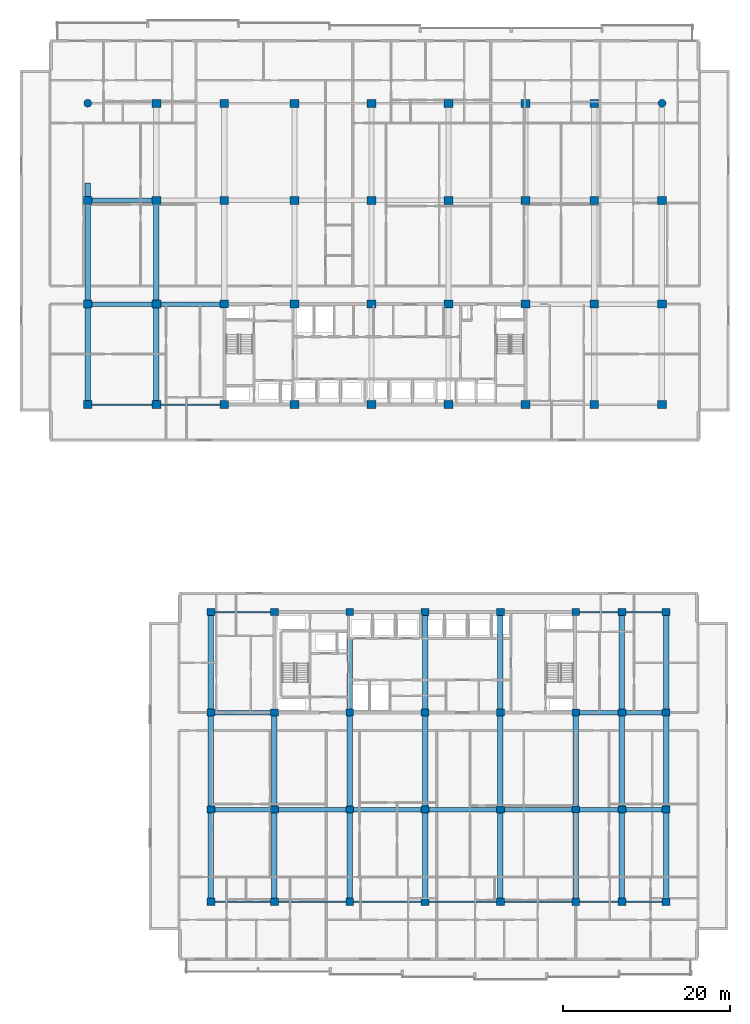
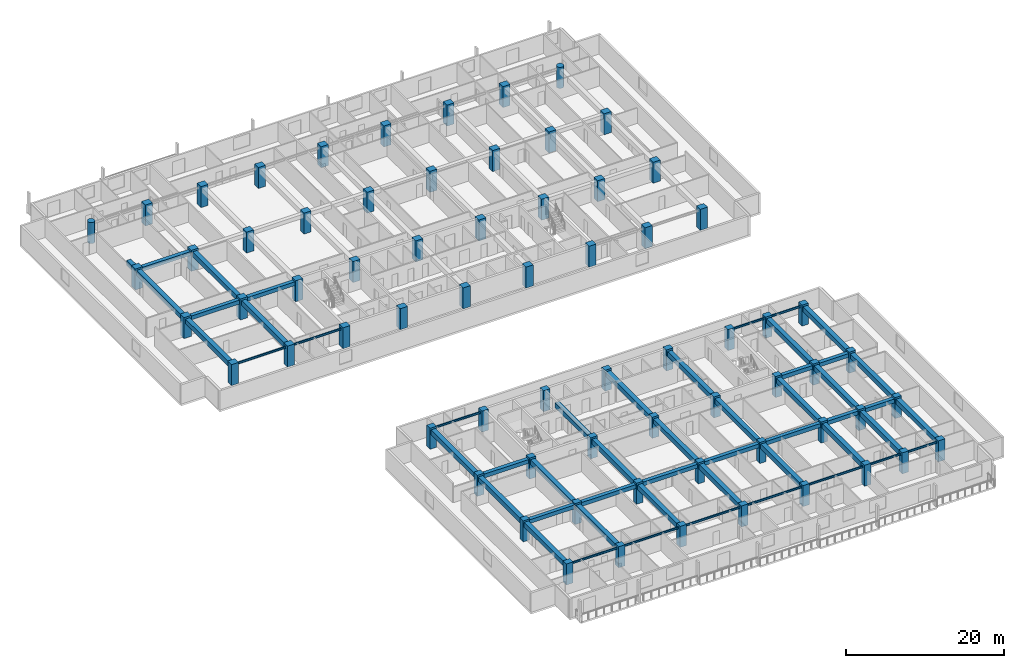
# One storey, part 1 of 23: 68 columns, 52 beams.
"""IFC4 building model written with IfcOpenShell, lengths in metres."""

from ifc_helpers import new_model, si_unit, direction, frame, origin, origin_2d, place, context, subcontext, project, spatial, rectangle, circle, i_section, extrude, material, material_profile, profile_set, type_object, element, save


model = new_model("IFC4")

# Units and contexts
model_context = context("Model", 3, precision=1e-05, world=origin(), true_north=direction((0.0, 1.0)))
body_context = subcontext(model_context, "Body", "Model", "MODEL_VIEW")
ifc_project = project(units=[si_unit("LENGTHUNIT", "METRE"), si_unit("AREAUNIT", "SQUARE_METRE"), si_unit("VOLUMEUNIT", "CUBIC_METRE"), si_unit("PLANEANGLEUNIT", "RADIAN"), si_unit("MASSUNIT", "GRAM", prefix="KILO")], contexts=[model_context])

# Site, building, storey
site_placement = place(None, origin())
site = spatial("IfcSite", under=ifc_project, at=site_placement, CompositionType="ELEMENT")
building_placement = place(site_placement, origin())
building = spatial("IfcBuilding", under=site, at=building_placement, Name="Korimba Cascade Residences", CompositionType="ELEMENT")
storey_placement = place(building_placement, frame((0.0, 0.0, 69.5)))
storey = spatial("IfcBuildingStorey", under=building, at=storey_placement, Name="L19", CompositionType="ELEMENT", Elevation=69.5)

# Columns
ifc_material_1 = material(Name="Concrete C80/95", Category="concrete")
ifc_material_profile_1 = material_profile(ifc_material_1, rectangle(XDim=1.050048828125, YDim=0.949951171875, at=origin_2d()), Name="Concrete C80/95")
ifc_profile_set_1 = profile_set([ifc_material_profile_1], Name="Concrete C80/95")
column_type_1 = type_object("IfcColumnType", Name="COL-RC-1050", PredefinedType="COLUMN", material=ifc_profile_set_1)
for number, where, z_axis, x_axis, name in (
    (1, (59.800048828125, 55.199951171875, 0.0), (0.0, 0.0, 1.0), (1.0, 0.0, 0.0), "L19 Tower 1 Column 1.1"),
    (2, (59.800048828125, 67.199951171875, 0.0), (0.0, 0.0, 1.0), (1.0, 0.0, 0.0), "L19 Tower 1 Column 1.2"),
    (3, (59.800048828125, 79.60009765625, 0.0), (0.0, 0.0, 1.0), (1.0, 0.0, 0.0), "L19 Tower 1 Column 1.3"),
    (4, (68.0, 55.199951171875, 0.0), (0.0, 0.0, 1.0), (1.0, 0.0, 0.0), "L19 Tower 1 Column 2.1"),
    (5, (68.0, 67.199951171875, 0.0), (0.0, 0.0, 1.0), (1.0, 0.0, 0.0), "L19 Tower 1 Column 2.2"),
    (6, (68.0, 79.60009765625, 0.0), (0.0, 0.0, 1.0), (1.0, 0.0, 0.0), "L19 Tower 1 Column 2.3"),
    (7, (68.0, 91.199951171875, 0.0), (0.0, 0.0, 1.0), (1.0, 0.0, 0.0), "L19 Tower 1 Column 2.4"),
    (8, (76.10009765625, 55.199951171875, 0.0), (0.0, 0.0, 1.0), (1.0, 0.0, 0.0), "L19 Tower 1 Column 3.1"),
    (9, (76.10009765625, 67.199951171875, 0.0), (0.0, 0.0, 1.0), (1.0, 0.0, 0.0), "L19 Tower 1 Column 3.2"),
    (10, (76.10009765625, 79.60009765625, 0.0), (0.0, 0.0, 1.0), (1.0, 0.0, 0.0), "L19 Tower 1 Column 3.3"),
    (11, (76.10009765625, 91.199951171875, 0.0), (0.0, 0.0, 1.0), (1.0, 0.0, 0.0), "L19 Tower 1 Column 3.4"),
    (12, (84.5, 55.199951171875, 0.0), (0.0, 0.0, 1.0), (1.0, 0.0, 0.0), "L19 Tower 1 Column 4.1"),
    (13, (84.5, 67.199951171875, 0.0), (0.0, 0.0, 1.0), (1.0, 0.0, 0.0), "L19 Tower 1 Column 4.2"),
    (14, (84.5, 79.60009765625, 0.0), (0.0, 0.0, 1.0), (1.0, 0.0, 0.0), "L19 Tower 1 Column 4.3"),
    (15, (84.5, 91.199951171875, 0.0), (0.0, 0.0, 1.0), (1.0, 0.0, 0.0), "L19 Tower 1 Column 4.4"),
    (16, (93.699951171875, 55.199951171875, 0.0), (0.0, 0.0, 1.0), (1.0, 0.0, 0.0), "L19 Tower 1 Column 5.1"),
    (17, (93.699951171875, 67.199951171875, 0.0), (0.0, 0.0, 1.0), (1.0, 0.0, 0.0), "L19 Tower 1 Column 5.2"),
    (18, (93.699951171875, 79.60009765625, 0.0), (0.0, 0.0, 1.0), (1.0, 0.0, 0.0), "L19 Tower 1 Column 5.3"),
    (19, (93.699951171875, 91.199951171875, 0.0), (0.0, 0.0, 1.0), (1.0, 0.0, 0.0), "L19 Tower 1 Column 5.4"),
    (20, (102.89990234375, 55.199951171875, 0.0), (0.0, 0.0, 1.0), (1.0, 0.0, 0.0), "L19 Tower 1 Column 6.1"),
    (21, (102.89990234375, 67.199951171875, 0.0), (0.0, 0.0, 1.0), (1.0, 0.0, 0.0), "L19 Tower 1 Column 6.2"),
    (22, (102.89990234375, 79.60009765625, 0.0), (0.0, 0.0, 1.0), (1.0, 0.0, 0.0), "L19 Tower 1 Column 6.3"),
    (23, (102.89990234375, 91.199951171875, 0.0), (0.0, 0.0, 1.0), (1.0, 0.0, 0.0), "L19 Tower 1 Column 6.4"),
    (24, (112.10009765625, 55.199951171875, 0.0), (0.0, 0.0, 1.0), (1.0, 0.0, 0.0), "L19 Tower 1 Column 7.1"),
    (25, (112.10009765625, 67.199951171875, 0.0), (0.0, 0.0, 1.0), (1.0, 0.0, 0.0), "L19 Tower 1 Column 7.2"),
    (26, (112.10009765625, 79.60009765625, 0.0), (0.0, 0.0, 1.0), (1.0, 0.0, 0.0), "L19 Tower 1 Column 7.3"),
    (27, (112.10009765625, 91.199951171875, 0.0), (0.0, 0.0, 1.0), (1.0, 0.0, 0.0), "L19 Tower 1 Column 7.4"),
    (28, (120.300048828125, 55.199951171875, 0.0), (0.0, 0.0, 1.0), (1.0, 0.0, 0.0), "L19 Tower 1 Column 8.1"),
    (29, (120.300048828125, 67.199951171875, 0.0), (0.0, 0.0, 1.0), (1.0, 0.0, 0.0), "L19 Tower 1 Column 8.2"),
    (30, (120.300048828125, 79.60009765625, 0.0), (0.0, 0.0, 1.0), (1.0, 0.0, 0.0), "L19 Tower 1 Column 8.3"),
    (31, (120.300048828125, 91.199951171875, 0.0), (0.0, 0.0, 1.0), (1.0, 0.0, 0.0), "L19 Tower 1 Column 8.4"),
    (32, (128.39990234375, 55.199951171875, 0.0), (0.0, 0.0, 1.0), (1.0, 0.0, 0.0), "L19 Tower 1 Column 9.1"),
    (33, (128.39990234375, 67.199951171875, 0.0), (0.0, 0.0, 1.0), (1.0, 0.0, 0.0), "L19 Tower 1 Column 9.2"),
    (34, (128.39990234375, 79.60009765625, 0.0), (0.0, 0.0, 1.0), (1.0, 0.0, 0.0), "L19 Tower 1 Column 9.3"),
):
    element("IfcColumn", number, at=place(storey_placement, frame(where, z_axis=z_axis, x_axis=x_axis)), inside=storey, type_object=column_type_1, Name=name, PredefinedType="COLUMN", context=body_context, shape_type="SweptSolid", body=[
        extrude(rectangle(XDim=1.050048828125, YDim=0.949951171875, at=origin_2d()), origin(), (0.0, 0.0, 1.0), 3.25),
    ])
ifc_material_2 = material(Name="Concrete C65/80", Category="concrete")
ifc_material_profile_2 = material_profile(ifc_material_2, rectangle(XDim=0.949951171875, YDim=0.85009765625, at=origin_2d()), Name="Concrete C65/80")
ifc_profile_set_2 = profile_set([ifc_material_profile_2], Name="Concrete C65/80")
column_type_2 = type_object("IfcColumnType", Name="COL-RC-950", PredefinedType="COLUMN", material=ifc_profile_set_2)
for number, where, z_axis, x_axis, name in (
    (35, (74.5, -4.199951171875, 0.0), (0.0, 0.0, 1.0), (1.0, 0.0, 0.0), "L19 Tower 2 Column 1.1"),
    (36, (74.5, 6.800048828125, 0.0), (0.0, 0.0, 1.0), (1.0, 0.0, 0.0), "L19 Tower 2 Column 1.2"),
    (37, (74.5, 18.39990234375, 0.0), (0.0, 0.0, 1.0), (1.0, 0.0, 0.0), "L19 Tower 2 Column 1.3"),
    (38, (74.5, 30.39990234375, 0.0), (0.0, 0.0, 1.0), (1.0, 0.0, 0.0), "L19 Tower 2 Column 1.4"),
    (39, (82.10009765625, -4.199951171875, 0.0), (0.0, 0.0, 1.0), (1.0, 0.0, 0.0), "L19 Tower 2 Column 2.1"),
    (40, (82.10009765625, 6.800048828125, 0.0), (0.0, 0.0, 1.0), (1.0, 0.0, 0.0), "L19 Tower 2 Column 2.2"),
    (41, (82.10009765625, 18.39990234375, 0.0), (0.0, 0.0, 1.0), (1.0, 0.0, 0.0), "L19 Tower 2 Column 2.3"),
    (42, (82.10009765625, 30.39990234375, 0.0), (0.0, 0.0, 1.0), (1.0, 0.0, 0.0), "L19 Tower 2 Column 2.4"),
    (43, (91.10009765625, -4.199951171875, 0.0), (0.0, 0.0, 1.0), (1.0, 0.0, 0.0), "L19 Tower 2 Column 3.1"),
    (44, (91.10009765625, 6.800048828125, 0.0), (0.0, 0.0, 1.0), (1.0, 0.0, 0.0), "L19 Tower 2 Column 3.2"),
    (45, (91.10009765625, 18.39990234375, 0.0), (0.0, 0.0, 1.0), (1.0, 0.0, 0.0), "L19 Tower 2 Column 3.3"),
    (46, (91.10009765625, 30.39990234375, 0.0), (0.0, 0.0, 1.0), (1.0, 0.0, 0.0), "L19 Tower 2 Column 3.4"),
    (47, (100.10009765625, -4.199951171875, 0.0), (0.0, 0.0, 1.0), (1.0, 0.0, 0.0), "L19 Tower 2 Column 4.1"),
    (48, (100.10009765625, 6.800048828125, 0.0), (0.0, 0.0, 1.0), (1.0, 0.0, 0.0), "L19 Tower 2 Column 4.2"),
    (49, (100.10009765625, 18.39990234375, 0.0), (0.0, 0.0, 1.0), (1.0, 0.0, 0.0), "L19 Tower 2 Column 4.3"),
    (50, (100.10009765625, 30.39990234375, 0.0), (0.0, 0.0, 1.0), (1.0, 0.0, 0.0), "L19 Tower 2 Column 4.4"),
    (51, (109.10009765625, -4.199951171875, 0.0), (0.0, 0.0, 1.0), (1.0, 0.0, 0.0), "L19 Tower 2 Column 5.1"),
    (52, (109.10009765625, 6.800048828125, 0.0), (0.0, 0.0, 1.0), (1.0, 0.0, 0.0), "L19 Tower 2 Column 5.2"),
    (53, (109.10009765625, 18.39990234375, 0.0), (0.0, 0.0, 1.0), (1.0, 0.0, 0.0), "L19 Tower 2 Column 5.3"),
    (54, (109.10009765625, 30.39990234375, 0.0), (0.0, 0.0, 1.0), (1.0, 0.0, 0.0), "L19 Tower 2 Column 5.4"),
    (55, (118.10009765625, -4.199951171875, 0.0), (0.0, 0.0, 1.0), (1.0, 0.0, 0.0), "L19 Tower 2 Column 6.1"),
    (56, (118.10009765625, 6.800048828125, 0.0), (0.0, 0.0, 1.0), (1.0, 0.0, 0.0), "L19 Tower 2 Column 6.2"),
    (57, (118.10009765625, 18.39990234375, 0.0), (0.0, 0.0, 1.0), (1.0, 0.0, 0.0), "L19 Tower 2 Column 6.3"),
    (58, (118.10009765625, 30.39990234375, 0.0), (0.0, 0.0, 1.0), (1.0, 0.0, 0.0), "L19 Tower 2 Column 6.4"),
    (59, (123.60009765625, -4.199951171875, 0.0), (0.0, 0.0, 1.0), (1.0, 0.0, 0.0), "L19 Tower 2 Column 7.1"),
    (60, (123.60009765625, 6.800048828125, 0.0), (0.0, 0.0, 1.0), (1.0, 0.0, 0.0), "L19 Tower 2 Column 7.2"),
    (61, (123.60009765625, 18.39990234375, 0.0), (0.0, 0.0, 1.0), (1.0, 0.0, 0.0), "L19 Tower 2 Column 7.3"),
    (62, (123.60009765625, 30.39990234375, 0.0), (0.0, 0.0, 1.0), (1.0, 0.0, 0.0), "L19 Tower 2 Column 7.4"),
    (63, (128.89990234375, -4.199951171875, 0.0), (0.0, 0.0, 1.0), (1.0, 0.0, 0.0), "L19 Tower 2 Column 8.1"),
    (64, (128.89990234375, 6.800048828125, 0.0), (0.0, 0.0, 1.0), (1.0, 0.0, 0.0), "L19 Tower 2 Column 8.2"),
    (65, (128.89990234375, 18.39990234375, 0.0), (0.0, 0.0, 1.0), (1.0, 0.0, 0.0), "L19 Tower 2 Column 8.3"),
    (66, (128.89990234375, 30.39990234375, 0.0), (0.0, 0.0, 1.0), (1.0, 0.0, 0.0), "L19 Tower 2 Column 8.4"),
):
    element("IfcColumn", number, at=place(storey_placement, frame(where, z_axis=z_axis, x_axis=x_axis)), inside=storey, type_object=column_type_2, Name=name, PredefinedType="COLUMN", context=body_context, shape_type="SweptSolid", body=[
        extrude(rectangle(XDim=0.949951171875, YDim=0.85009765625, at=origin_2d()), origin(), (0.0, 0.0, 1.0), 3.25),
    ])
ifc_material_profile_3 = material_profile(ifc_material_1, circle(Radius=0.47509765625, at=origin_2d()), Name="Concrete C80/95")
ifc_profile_set_3 = profile_set([ifc_material_profile_3], Name="Concrete C80/95")
column_type_3 = type_object("IfcColumnType", Name="COL-RC-D950", PredefinedType="COLUMN", material=ifc_profile_set_3)
for number, where, z_axis, x_axis, name in (
    (67, (59.800048828125, 91.199951171875, 0.0), (0.0, 0.0, 1.0), (1.0, 0.0, 0.0), "L19 Tower 1 Column 1.4"),
    (68, (128.39990234375, 91.199951171875, 0.0), (0.0, 0.0, 1.0), (1.0, 0.0, 0.0), "L19 Tower 1 Column 9.4"),
):
    element("IfcColumn", number, at=place(storey_placement, frame(where, z_axis=z_axis, x_axis=x_axis)), inside=storey, type_object=column_type_3, Name=name, PredefinedType="COLUMN", context=body_context, shape_type="SweptSolid", body=[
        extrude(circle(Radius=0.47509765625, at=origin_2d()), origin(), (0.0, 0.0, 1.0), 3.25),
    ])

# Beams
ifc_material_3 = material(Name="Concrete C50/60", Category="concrete")
ifc_material_profile_4 = material_profile(ifc_material_3, rectangle(XDim=0.550048828125, YDim=0.60009765625, at=origin_2d()), Name="Concrete C50/60")
ifc_profile_set_4 = profile_set([ifc_material_profile_4], Name="Concrete C50/60")
beam_type_1 = type_object("IfcBeamType", Name="BM-RC-B600", PredefinedType="BEAM", material=ifc_profile_set_4)
beam_1_placement = place(storey_placement, frame((60.324951171875, 67.199951171875, 2.669921875), z_axis=(1.0, 0.0, 0.0), x_axis=(0.0, 1.0, 0.0)))
element("IfcBeam", 69, at=beam_1_placement, inside=storey, type_object=beam_type_1, Name="L19 T1 E-W Girder Y2 Bay 1", PredefinedType="BEAM", context=body_context, shape_type="SweptSolid", body=[
    extrude(rectangle(XDim=0.550048828125, YDim=0.60009765625, at=origin_2d()), origin(), (0.0, 0.0, 1.0), 7.150146484375),
])
beam_2_placement = place(storey_placement, frame((68.52490234375, 67.199951171875, 2.669921875), z_axis=(1.0, 0.0, 0.0), x_axis=(0.0, 1.0, 0.0)))
element("IfcBeam", 70, at=beam_2_placement, inside=storey, type_object=beam_type_1, Name="L19 T1 E-W Girder Y2 Bay 2", PredefinedType="BEAM", context=body_context, shape_type="SweptSolid", body=[
    extrude(rectangle(XDim=0.550048828125, YDim=0.60009765625, at=origin_2d()), origin(), (0.0, 0.0, 1.0), 7.050048828125),
])
beam_3_placement = place(storey_placement, frame((60.324951171875, 79.60009765625, 2.669921875), z_axis=(1.0, 0.0, 0.0), x_axis=(0.0, 1.0, 0.0)))
element("IfcBeam", 71, at=beam_3_placement, inside=storey, type_object=beam_type_1, Name="L19 T1 E-W Girder Y3 Bay 1", PredefinedType="BEAM", context=body_context, shape_type="SweptSolid", body=[
    extrude(rectangle(XDim=0.550048828125, YDim=0.60009765625, at=origin_2d()), origin(), (0.0, 0.0, 1.0), 7.150146484375),
])
beam_4_placement = place(storey_placement, frame((74.97509765625, 6.800048828125, 2.669921875), z_axis=(1.0, 0.0, 0.0), x_axis=(0.0, 1.0, 0.0)))
element("IfcBeam", 72, at=beam_4_placement, inside=storey, type_object=beam_type_1, Name="L19 T2 E-W Girder Y2 Bay 1", PredefinedType="BEAM", context=body_context, shape_type="SweptSolid", body=[
    extrude(rectangle(XDim=0.550048828125, YDim=0.60009765625, at=origin_2d()), origin(), (0.0, 0.0, 1.0), 6.64990234375),
])
for number, where, z_axis, x_axis, name in (
    (73, (82.574951171875, 6.800048828125, 2.669921875), (1.0, 0.0, 0.0), (0.0, 1.0, 0.0), "L19 T2 E-W Girder Y2 Bay 2"),
    (74, (91.574951171875, 6.800048828125, 2.669921875), (1.0, 0.0, 0.0), (0.0, 1.0, 0.0), "L19 T2 E-W Girder Y2 Bay 3"),
    (75, (100.574951171875, 6.800048828125, 2.669921875), (1.0, 0.0, 0.0), (0.0, 1.0, 0.0), "L19 T2 E-W Girder Y2 Bay 4"),
    (76, (109.574951171875, 6.800048828125, 2.669921875), (1.0, 0.0, 0.0), (0.0, 1.0, 0.0), "L19 T2 E-W Girder Y2 Bay 5"),
):
    element("IfcBeam", number, at=place(storey_placement, frame(where, z_axis=z_axis, x_axis=x_axis)), inside=storey, type_object=beam_type_1, Name=name, PredefinedType="BEAM", context=body_context, shape_type="SweptSolid", body=[
        extrude(rectangle(XDim=0.550048828125, YDim=0.60009765625, at=origin_2d()), origin(), (0.0, 0.0, 1.0), 8.050048828125),
    ])
beam_5_placement = place(storey_placement, frame((118.574951171875, 6.800048828125, 2.669921875), z_axis=(1.0, 0.0, 0.0), x_axis=(0.0, 1.0, 0.0)))
element("IfcBeam", 77, at=beam_5_placement, inside=storey, type_object=beam_type_1, Name="L19 T2 E-W Girder Y2 Bay 6", PredefinedType="BEAM", context=body_context, shape_type="SweptSolid", body=[
    extrude(rectangle(XDim=0.550048828125, YDim=0.60009765625, at=origin_2d()), origin(), (0.0, 0.0, 1.0), 4.550048828125),
])
beam_6_placement = place(storey_placement, frame((124.074951171875, 6.800048828125, 2.669921875), z_axis=(1.0, 0.0, 0.0), x_axis=(0.0, 1.0, 0.0)))
element("IfcBeam", 78, at=beam_6_placement, inside=storey, type_object=beam_type_1, Name="L19 T2 E-W Girder Y2 Bay 7", PredefinedType="BEAM", context=body_context, shape_type="SweptSolid", body=[
    extrude(rectangle(XDim=0.550048828125, YDim=0.60009765625, at=origin_2d()), origin(), (0.0, 0.0, 1.0), 4.35009765625),
])
beam_7_placement = place(storey_placement, frame((74.97509765625, 18.39990234375, 2.669921875), z_axis=(1.0, 0.0, 0.0), x_axis=(0.0, 1.0, 0.0)))
element("IfcBeam", 79, at=beam_7_placement, inside=storey, type_object=beam_type_1, Name="L19 T2 E-W Girder Y3 Bay 1", PredefinedType="BEAM", context=body_context, shape_type="SweptSolid", body=[
    extrude(rectangle(XDim=0.550048828125, YDim=0.60009765625, at=origin_2d()), origin(), (0.0, 0.0, 1.0), 6.64990234375),
])
beam_8_placement = place(storey_placement, frame((118.574951171875, 18.39990234375, 2.669921875), z_axis=(1.0, 0.0, 0.0), x_axis=(0.0, 1.0, 0.0)))
element("IfcBeam", 80, at=beam_8_placement, inside=storey, type_object=beam_type_1, Name="L19 T2 E-W Girder Y3 Bay 6", PredefinedType="BEAM", context=body_context, shape_type="SweptSolid", body=[
    extrude(rectangle(XDim=0.550048828125, YDim=0.60009765625, at=origin_2d()), origin(), (0.0, 0.0, 1.0), 4.550048828125),
])
beam_9_placement = place(storey_placement, frame((124.074951171875, 18.39990234375, 2.669921875), z_axis=(1.0, 0.0, 0.0), x_axis=(0.0, 1.0, 0.0)))
element("IfcBeam", 81, at=beam_9_placement, inside=storey, type_object=beam_type_1, Name="L19 T2 E-W Girder Y3 Bay 7", PredefinedType="BEAM", context=body_context, shape_type="SweptSolid", body=[
    extrude(rectangle(XDim=0.550048828125, YDim=0.60009765625, at=origin_2d()), origin(), (0.0, 0.0, 1.0), 4.35009765625),
])
ifc_material_profile_5 = material_profile(ifc_material_3, rectangle(XDim=0.64990234375, YDim=0.75, at=origin_2d()), Name="Concrete C50/60")
ifc_profile_set_5 = profile_set([ifc_material_profile_5], Name="Concrete C50/60")
beam_type_2 = type_object("IfcBeamType", Name="BM-RC-G750", PredefinedType="BEAM", material=ifc_profile_set_5)
beam_10_placement = place(storey_placement, frame((59.800048828125, 55.675048828125, 2.594970703125), z_axis=(0.0, 1.0, 0.0), x_axis=(-1.0, 0.0, 0.0)))
element("IfcBeam", 82, at=beam_10_placement, inside=storey, type_object=beam_type_2, Name="L19 T1 N-S Girder X1 Seg 1", PredefinedType="BEAM", context=body_context, shape_type="SweptSolid", body=[
    extrude(rectangle(XDim=0.64990234375, YDim=0.75, at=origin_2d()), origin(), (0.0, 0.0, 1.0), 11.050048828125),
])
beam_11_placement = place(storey_placement, frame((59.800048828125, 67.675048828125, 2.594970703125), z_axis=(0.0, 1.0, 0.0), x_axis=(-1.0, 0.0, 0.0)))
element("IfcBeam", 83, at=beam_11_placement, inside=storey, type_object=beam_type_2, Name="L19 T1 N-S Girder X1 Seg 2", PredefinedType="BEAM", context=body_context, shape_type="SweptSolid", body=[
    extrude(rectangle(XDim=0.64990234375, YDim=0.75, at=origin_2d()), origin(), (0.0, 0.0, 1.0), 11.449951171875),
])
beam_12_placement = place(storey_placement, frame((59.800048828125, 80.074951171875, 2.594970703125), z_axis=(0.0, 1.0, 0.0), x_axis=(-1.0, 0.0, 0.0)))
element("IfcBeam", 84, at=beam_12_placement, inside=storey, type_object=beam_type_2, Name="L19 T1 N-S Girder X1 Seg 3", PredefinedType="BEAM", context=body_context, shape_type="SweptSolid", body=[
    extrude(rectangle(XDim=0.64990234375, YDim=0.75, at=origin_2d()), origin(), (0.0, 0.0, 1.0), 1.625),
])
beam_13_placement = place(storey_placement, frame((68.0, 55.675048828125, 2.594970703125), z_axis=(0.0, 1.0, 0.0), x_axis=(-1.0, 0.0, 0.0)))
element("IfcBeam", 85, at=beam_13_placement, inside=storey, type_object=beam_type_2, Name="L19 T1 N-S Girder X2 Seg 1", PredefinedType="BEAM", context=body_context, shape_type="SweptSolid", body=[
    extrude(rectangle(XDim=0.64990234375, YDim=0.75, at=origin_2d()), origin(), (0.0, 0.0, 1.0), 11.050048828125),
])
beam_14_placement = place(storey_placement, frame((68.0, 67.675048828125, 2.594970703125), z_axis=(0.0, 1.0, 0.0), x_axis=(-1.0, 0.0, 0.0)))
element("IfcBeam", 86, at=beam_14_placement, inside=storey, type_object=beam_type_2, Name="L19 T1 N-S Girder X2 Seg 2", PredefinedType="BEAM", context=body_context, shape_type="SweptSolid", body=[
    extrude(rectangle(XDim=0.64990234375, YDim=0.75, at=origin_2d()), origin(), (0.0, 0.0, 1.0), 11.449951171875),
])
beam_15_placement = place(storey_placement, frame((74.5, -3.77490234375, 2.594970703125), z_axis=(0.0, 1.0, 0.0), x_axis=(-1.0, 0.0, 0.0)))
element("IfcBeam", 87, at=beam_15_placement, inside=storey, type_object=beam_type_2, Name="L19 T2 N-S Girder X1 Seg 1", PredefinedType="BEAM", context=body_context, shape_type="SweptSolid", body=[
    extrude(rectangle(XDim=0.64990234375, YDim=0.75, at=origin_2d()), origin(), (0.0, 0.0, 1.0), 10.14990234375),
])
beam_16_placement = place(storey_placement, frame((74.5, 7.22509765625, 2.594970703125), z_axis=(0.0, 1.0, 0.0), x_axis=(-1.0, 0.0, 0.0)))
element("IfcBeam", 88, at=beam_16_placement, inside=storey, type_object=beam_type_2, Name="L19 T2 N-S Girder X1 Seg 2", PredefinedType="BEAM", context=body_context, shape_type="SweptSolid", body=[
    extrude(rectangle(XDim=0.64990234375, YDim=0.75, at=origin_2d()), origin(), (0.0, 0.0, 1.0), 10.75),
])
beam_17_placement = place(storey_placement, frame((74.5, 18.824951171875, 2.594970703125), z_axis=(0.0, 1.0, 0.0), x_axis=(-1.0, 0.0, 0.0)))
element("IfcBeam", 89, at=beam_17_placement, inside=storey, type_object=beam_type_2, Name="L19 T2 N-S Girder X1 Seg 3", PredefinedType="BEAM", context=body_context, shape_type="SweptSolid", body=[
    extrude(rectangle(XDim=0.64990234375, YDim=0.75, at=origin_2d()), origin(), (0.0, 0.0, 1.0), 11.150146484375),
])
beam_18_placement = place(storey_placement, frame((82.10009765625, -3.77490234375, 2.594970703125), z_axis=(0.0, 1.0, 0.0), x_axis=(-1.0, 0.0, 0.0)))
element("IfcBeam", 90, at=beam_18_placement, inside=storey, type_object=beam_type_2, Name="L19 T2 N-S Girder X2 Seg 1", PredefinedType="BEAM", context=body_context, shape_type="SweptSolid", body=[
    extrude(rectangle(XDim=0.64990234375, YDim=0.75, at=origin_2d()), origin(), (0.0, 0.0, 1.0), 10.14990234375),
])
beam_19_placement = place(storey_placement, frame((82.10009765625, 7.22509765625, 2.594970703125), z_axis=(0.0, 1.0, 0.0), x_axis=(-1.0, 0.0, 0.0)))
element("IfcBeam", 91, at=beam_19_placement, inside=storey, type_object=beam_type_2, Name="L19 T2 N-S Girder X2 Seg 2", PredefinedType="BEAM", context=body_context, shape_type="SweptSolid", body=[
    extrude(rectangle(XDim=0.64990234375, YDim=0.75, at=origin_2d()), origin(), (0.0, 0.0, 1.0), 10.75),
])
beam_20_placement = place(storey_placement, frame((91.10009765625, -3.77490234375, 2.594970703125), z_axis=(0.0, 1.0, 0.0), x_axis=(-1.0, 0.0, 0.0)))
element("IfcBeam", 92, at=beam_20_placement, inside=storey, type_object=beam_type_2, Name="L19 T2 N-S Girder X3 Seg 1", PredefinedType="BEAM", context=body_context, shape_type="SweptSolid", body=[
    extrude(rectangle(XDim=0.64990234375, YDim=0.75, at=origin_2d()), origin(), (0.0, 0.0, 1.0), 10.14990234375),
])
beam_21_placement = place(storey_placement, frame((91.10009765625, 7.22509765625, 2.594970703125), z_axis=(0.0, 1.0, 0.0), x_axis=(-1.0, 0.0, 0.0)))
element("IfcBeam", 93, at=beam_21_placement, inside=storey, type_object=beam_type_2, Name="L19 T2 N-S Girder X3 Seg 2", PredefinedType="BEAM", context=body_context, shape_type="SweptSolid", body=[
    extrude(rectangle(XDim=0.64990234375, YDim=0.75, at=origin_2d()), origin(), (0.0, 0.0, 1.0), 10.75),
])
beam_22_placement = place(storey_placement, frame((91.10009765625, 18.824951171875, 2.594970703125), z_axis=(0.0, 1.0, 0.0), x_axis=(-1.0, 0.0, 0.0)))
element("IfcBeam", 94, at=beam_22_placement, inside=storey, type_object=beam_type_2, Name="L19 T2 N-S Girder X3 Seg 3", PredefinedType="BEAM", context=body_context, shape_type="SweptSolid", body=[
    extrude(rectangle(XDim=0.64990234375, YDim=0.75, at=origin_2d()), origin(), (0.0, 0.0, 1.0), 8.51513671875),
])
beam_23_placement = place(storey_placement, frame((100.10009765625, -3.77490234375, 2.594970703125), z_axis=(0.0, 1.0, 0.0), x_axis=(-1.0, 0.0, 0.0)))
element("IfcBeam", 95, at=beam_23_placement, inside=storey, type_object=beam_type_2, Name="L19 T2 N-S Girder X4 Seg 1", PredefinedType="BEAM", context=body_context, shape_type="SweptSolid", body=[
    extrude(rectangle(XDim=0.64990234375, YDim=0.75, at=origin_2d()), origin(), (0.0, 0.0, 1.0), 10.14990234375),
])
beam_24_placement = place(storey_placement, frame((100.10009765625, 7.22509765625, 2.594970703125), z_axis=(0.0, 1.0, 0.0), x_axis=(-1.0, 0.0, 0.0)))
element("IfcBeam", 96, at=beam_24_placement, inside=storey, type_object=beam_type_2, Name="L19 T2 N-S Girder X4 Seg 2", PredefinedType="BEAM", context=body_context, shape_type="SweptSolid", body=[
    extrude(rectangle(XDim=0.64990234375, YDim=0.75, at=origin_2d()), origin(), (0.0, 0.0, 1.0), 10.75),
])
beam_25_placement = place(storey_placement, frame((100.10009765625, 18.824951171875, 2.594970703125), z_axis=(0.0, 1.0, 0.0), x_axis=(-1.0, 0.0, 0.0)))
element("IfcBeam", 97, at=beam_25_placement, inside=storey, type_object=beam_type_2, Name="L19 T2 N-S Girder X4 Seg 3", PredefinedType="BEAM", context=body_context, shape_type="SweptSolid", body=[
    extrude(rectangle(XDim=0.64990234375, YDim=0.75, at=origin_2d()), origin(), (0.0, 0.0, 1.0), 11.150146484375),
])
beam_26_placement = place(storey_placement, frame((109.10009765625, -3.77490234375, 2.594970703125), z_axis=(0.0, 1.0, 0.0), x_axis=(-1.0, 0.0, 0.0)))
element("IfcBeam", 98, at=beam_26_placement, inside=storey, type_object=beam_type_2, Name="L19 T2 N-S Girder X5 Seg 1", PredefinedType="BEAM", context=body_context, shape_type="SweptSolid", body=[
    extrude(rectangle(XDim=0.64990234375, YDim=0.75, at=origin_2d()), origin(), (0.0, 0.0, 1.0), 10.14990234375),
])
beam_27_placement = place(storey_placement, frame((109.10009765625, 7.22509765625, 2.594970703125), z_axis=(0.0, 1.0, 0.0), x_axis=(-1.0, 0.0, 0.0)))
element("IfcBeam", 99, at=beam_27_placement, inside=storey, type_object=beam_type_2, Name="L19 T2 N-S Girder X5 Seg 2", PredefinedType="BEAM", context=body_context, shape_type="SweptSolid", body=[
    extrude(rectangle(XDim=0.64990234375, YDim=0.75, at=origin_2d()), origin(), (0.0, 0.0, 1.0), 10.75),
])
beam_28_placement = place(storey_placement, frame((109.10009765625, 18.824951171875, 2.594970703125), z_axis=(0.0, 1.0, 0.0), x_axis=(-1.0, 0.0, 0.0)))
element("IfcBeam", 100, at=beam_28_placement, inside=storey, type_object=beam_type_2, Name="L19 T2 N-S Girder X5 Seg 3", PredefinedType="BEAM", context=body_context, shape_type="SweptSolid", body=[
    extrude(rectangle(XDim=0.64990234375, YDim=0.75, at=origin_2d()), origin(), (0.0, 0.0, 1.0), 11.150146484375),
])
beam_29_placement = place(storey_placement, frame((118.10009765625, -3.77490234375, 2.594970703125), z_axis=(0.0, 1.0, 0.0), x_axis=(-1.0, 0.0, 0.0)))
element("IfcBeam", 101, at=beam_29_placement, inside=storey, type_object=beam_type_2, Name="L19 T2 N-S Girder X6 Seg 1", PredefinedType="BEAM", context=body_context, shape_type="SweptSolid", body=[
    extrude(rectangle(XDim=0.64990234375, YDim=0.75, at=origin_2d()), origin(), (0.0, 0.0, 1.0), 10.14990234375),
])
beam_30_placement = place(storey_placement, frame((118.10009765625, 7.22509765625, 2.594970703125), z_axis=(0.0, 1.0, 0.0), x_axis=(-1.0, 0.0, 0.0)))
element("IfcBeam", 102, at=beam_30_placement, inside=storey, type_object=beam_type_2, Name="L19 T2 N-S Girder X6 Seg 2", PredefinedType="BEAM", context=body_context, shape_type="SweptSolid", body=[
    extrude(rectangle(XDim=0.64990234375, YDim=0.75, at=origin_2d()), origin(), (0.0, 0.0, 1.0), 10.75),
])
beam_31_placement = place(storey_placement, frame((123.60009765625, -3.77490234375, 2.594970703125), z_axis=(0.0, 1.0, 0.0), x_axis=(-1.0, 0.0, 0.0)))
element("IfcBeam", 103, at=beam_31_placement, inside=storey, type_object=beam_type_2, Name="L19 T2 N-S Girder X7 Seg 1", PredefinedType="BEAM", context=body_context, shape_type="SweptSolid", body=[
    extrude(rectangle(XDim=0.64990234375, YDim=0.75, at=origin_2d()), origin(), (0.0, 0.0, 1.0), 10.14990234375),
])
beam_32_placement = place(storey_placement, frame((123.60009765625, 7.22509765625, 2.594970703125), z_axis=(0.0, 1.0, 0.0), x_axis=(-1.0, 0.0, 0.0)))
element("IfcBeam", 104, at=beam_32_placement, inside=storey, type_object=beam_type_2, Name="L19 T2 N-S Girder X7 Seg 2", PredefinedType="BEAM", context=body_context, shape_type="SweptSolid", body=[
    extrude(rectangle(XDim=0.64990234375, YDim=0.75, at=origin_2d()), origin(), (0.0, 0.0, 1.0), 10.75),
])
beam_33_placement = place(storey_placement, frame((123.60009765625, 18.824951171875, 2.594970703125), z_axis=(0.0, 1.0, 0.0), x_axis=(-1.0, 0.0, 0.0)))
element("IfcBeam", 105, at=beam_33_placement, inside=storey, type_object=beam_type_2, Name="L19 T2 N-S Girder X7 Seg 3", PredefinedType="BEAM", context=body_context, shape_type="SweptSolid", body=[
    extrude(rectangle(XDim=0.64990234375, YDim=0.75, at=origin_2d()), origin(), (0.0, 0.0, 1.0), 11.150146484375),
])
beam_34_placement = place(storey_placement, frame((128.89990234375, -3.77490234375, 2.594970703125), z_axis=(0.0, 1.0, 0.0), x_axis=(-1.0, 0.0, 0.0)))
element("IfcBeam", 106, at=beam_34_placement, inside=storey, type_object=beam_type_2, Name="L19 T2 N-S Girder X8 Seg 1", PredefinedType="BEAM", context=body_context, shape_type="SweptSolid", body=[
    extrude(rectangle(XDim=0.64990234375, YDim=0.75, at=origin_2d()), origin(), (0.0, 0.0, 1.0), 10.14990234375),
])
beam_35_placement = place(storey_placement, frame((128.89990234375, 7.22509765625, 2.594970703125), z_axis=(0.0, 1.0, 0.0), x_axis=(-1.0, 0.0, 0.0)))
element("IfcBeam", 107, at=beam_35_placement, inside=storey, type_object=beam_type_2, Name="L19 T2 N-S Girder X8 Seg 2", PredefinedType="BEAM", context=body_context, shape_type="SweptSolid", body=[
    extrude(rectangle(XDim=0.64990234375, YDim=0.75, at=origin_2d()), origin(), (0.0, 0.0, 1.0), 10.75),
])
beam_36_placement = place(storey_placement, frame((128.89990234375, 18.824951171875, 2.594970703125), z_axis=(0.0, 1.0, 0.0), x_axis=(-1.0, 0.0, 0.0)))
element("IfcBeam", 108, at=beam_36_placement, inside=storey, type_object=beam_type_2, Name="L19 T2 N-S Girder X8 Seg 3", PredefinedType="BEAM", context=body_context, shape_type="SweptSolid", body=[
    extrude(rectangle(XDim=0.64990234375, YDim=0.75, at=origin_2d()), origin(), (0.0, 0.0, 1.0), 11.150146484375),
])
ifc_material_4 = material(Name="Steel S355", Category="steel")
ifc_material_profile_6 = material_profile(ifc_material_4, i_section(OverallWidth=0.165771484375, OverallDepth=0.306640625, WebThickness=0.006591796875, FlangeThickness=0.01171875, FilletRadius=0.0087890625, at=origin_2d()), Name="Steel S355")
ifc_profile_set_6 = profile_set([ifc_material_profile_6], Name="Steel S355")
beam_type_3 = type_object("IfcBeamType", Name="BM-STL-UB305", PredefinedType="SPANDREL", material=ifc_profile_set_6)
beam_37_placement = place(storey_placement, frame((60.324951171875, 55.199951171875, 2.816650390625), z_axis=(1.0, 0.0, 0.0), x_axis=(0.0, 1.0, 0.0)))
element("IfcBeam", 109, at=beam_37_placement, inside=storey, type_object=beam_type_3, Name="L19 T1 E-W Girder Y1 Bay 1", PredefinedType="SPANDREL", context=body_context, shape_type="SweptSolid", body=[
    extrude(i_section(OverallWidth=0.165771484375, OverallDepth=0.306640625, WebThickness=0.006591796875, FlangeThickness=0.01171875, FilletRadius=0.0087890625, at=origin_2d()), origin(), (0.0, 0.0, 1.0), 7.150146484375),
])
beam_38_placement = place(storey_placement, frame((68.52490234375, 55.199951171875, 2.816650390625), z_axis=(1.0, 0.0, 0.0), x_axis=(0.0, 1.0, 0.0)))
element("IfcBeam", 110, at=beam_38_placement, inside=storey, type_object=beam_type_3, Name="L19 T1 E-W Girder Y1 Bay 2", PredefinedType="SPANDREL", context=body_context, shape_type="SweptSolid", body=[
    extrude(i_section(OverallWidth=0.165771484375, OverallDepth=0.306640625, WebThickness=0.006591796875, FlangeThickness=0.01171875, FilletRadius=0.0087890625, at=origin_2d()), origin(), (0.0, 0.0, 1.0), 7.050048828125),
])
beam_39_placement = place(storey_placement, frame((74.97509765625, -4.199951171875, 2.816650390625), z_axis=(1.0, 0.0, 0.0), x_axis=(0.0, 1.0, 0.0)))
element("IfcBeam", 111, at=beam_39_placement, inside=storey, type_object=beam_type_3, Name="L19 T2 E-W Girder Y1 Bay 1", PredefinedType="SPANDREL", context=body_context, shape_type="SweptSolid", body=[
    extrude(i_section(OverallWidth=0.165771484375, OverallDepth=0.306640625, WebThickness=0.006591796875, FlangeThickness=0.01171875, FilletRadius=0.0087890625, at=origin_2d()), origin(), (0.0, 0.0, 1.0), 6.64990234375),
])
for number, where, z_axis, x_axis, name in (
    (112, (82.574951171875, -4.199951171875, 2.816650390625), (1.0, 0.0, 0.0), (0.0, 1.0, 0.0), "L19 T2 E-W Girder Y1 Bay 2"),
    (113, (91.574951171875, -4.199951171875, 2.816650390625), (1.0, 0.0, 0.0), (0.0, 1.0, 0.0), "L19 T2 E-W Girder Y1 Bay 3"),
    (114, (100.574951171875, -4.199951171875, 2.816650390625), (1.0, 0.0, 0.0), (0.0, 1.0, 0.0), "L19 T2 E-W Girder Y1 Bay 4"),
    (115, (109.574951171875, -4.199951171875, 2.816650390625), (1.0, 0.0, 0.0), (0.0, 1.0, 0.0), "L19 T2 E-W Girder Y1 Bay 5"),
):
    element("IfcBeam", number, at=place(storey_placement, frame(where, z_axis=z_axis, x_axis=x_axis)), inside=storey, type_object=beam_type_3, Name=name, PredefinedType="SPANDREL", context=body_context, shape_type="SweptSolid", body=[
        extrude(i_section(OverallWidth=0.165771484375, OverallDepth=0.306640625, WebThickness=0.006591796875, FlangeThickness=0.01171875, FilletRadius=0.0087890625, at=origin_2d()), origin(), (0.0, 0.0, 1.0), 8.050048828125),
    ])
beam_40_placement = place(storey_placement, frame((118.574951171875, -4.199951171875, 2.816650390625), z_axis=(1.0, 0.0, 0.0), x_axis=(0.0, 1.0, 0.0)))
element("IfcBeam", 116, at=beam_40_placement, inside=storey, type_object=beam_type_3, Name="L19 T2 E-W Girder Y1 Bay 6", PredefinedType="SPANDREL", context=body_context, shape_type="SweptSolid", body=[
    extrude(i_section(OverallWidth=0.165771484375, OverallDepth=0.306640625, WebThickness=0.006591796875, FlangeThickness=0.01171875, FilletRadius=0.0087890625, at=origin_2d()), origin(), (0.0, 0.0, 1.0), 4.550048828125),
])
beam_41_placement = place(storey_placement, frame((124.074951171875, -4.199951171875, 2.816650390625), z_axis=(1.0, 0.0, 0.0), x_axis=(0.0, 1.0, 0.0)))
element("IfcBeam", 117, at=beam_41_placement, inside=storey, type_object=beam_type_3, Name="L19 T2 E-W Girder Y1 Bay 7", PredefinedType="SPANDREL", context=body_context, shape_type="SweptSolid", body=[
    extrude(i_section(OverallWidth=0.165771484375, OverallDepth=0.306640625, WebThickness=0.006591796875, FlangeThickness=0.01171875, FilletRadius=0.0087890625, at=origin_2d()), origin(), (0.0, 0.0, 1.0), 4.35009765625),
])
beam_42_placement = place(storey_placement, frame((74.97509765625, 30.39990234375, 2.816650390625), z_axis=(1.0, 0.0, 0.0), x_axis=(0.0, 1.0, 0.0)))
element("IfcBeam", 118, at=beam_42_placement, inside=storey, type_object=beam_type_3, Name="L19 T2 E-W Girder Y4 Bay 1", PredefinedType="SPANDREL", context=body_context, shape_type="SweptSolid", body=[
    extrude(i_section(OverallWidth=0.165771484375, OverallDepth=0.306640625, WebThickness=0.006591796875, FlangeThickness=0.01171875, FilletRadius=0.0087890625, at=origin_2d()), origin(), (0.0, 0.0, 1.0), 6.64990234375),
])
beam_43_placement = place(storey_placement, frame((118.574951171875, 30.39990234375, 2.816650390625), z_axis=(1.0, 0.0, 0.0), x_axis=(0.0, 1.0, 0.0)))
element("IfcBeam", 119, at=beam_43_placement, inside=storey, type_object=beam_type_3, Name="L19 T2 E-W Girder Y4 Bay 6", PredefinedType="SPANDREL", context=body_context, shape_type="SweptSolid", body=[
    extrude(i_section(OverallWidth=0.165771484375, OverallDepth=0.306640625, WebThickness=0.006591796875, FlangeThickness=0.01171875, FilletRadius=0.0087890625, at=origin_2d()), origin(), (0.0, 0.0, 1.0), 4.550048828125),
])
beam_44_placement = place(storey_placement, frame((124.074951171875, 30.39990234375, 2.816650390625), z_axis=(1.0, 0.0, 0.0), x_axis=(0.0, 1.0, 0.0)))
element("IfcBeam", 120, at=beam_44_placement, inside=storey, type_object=beam_type_3, Name="L19 T2 E-W Girder Y4 Bay 7", PredefinedType="SPANDREL", context=body_context, shape_type="SweptSolid", body=[
    extrude(i_section(OverallWidth=0.165771484375, OverallDepth=0.306640625, WebThickness=0.006591796875, FlangeThickness=0.01171875, FilletRadius=0.0087890625, at=origin_2d()), origin(), (0.0, 0.0, 1.0), 4.35009765625),
])

save(model, "model.ifc")
